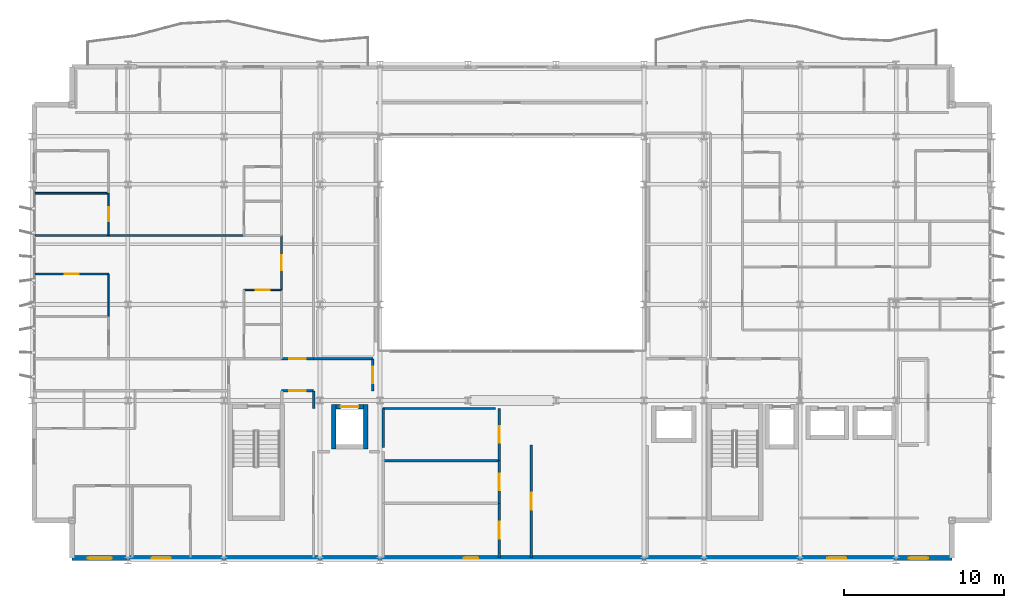
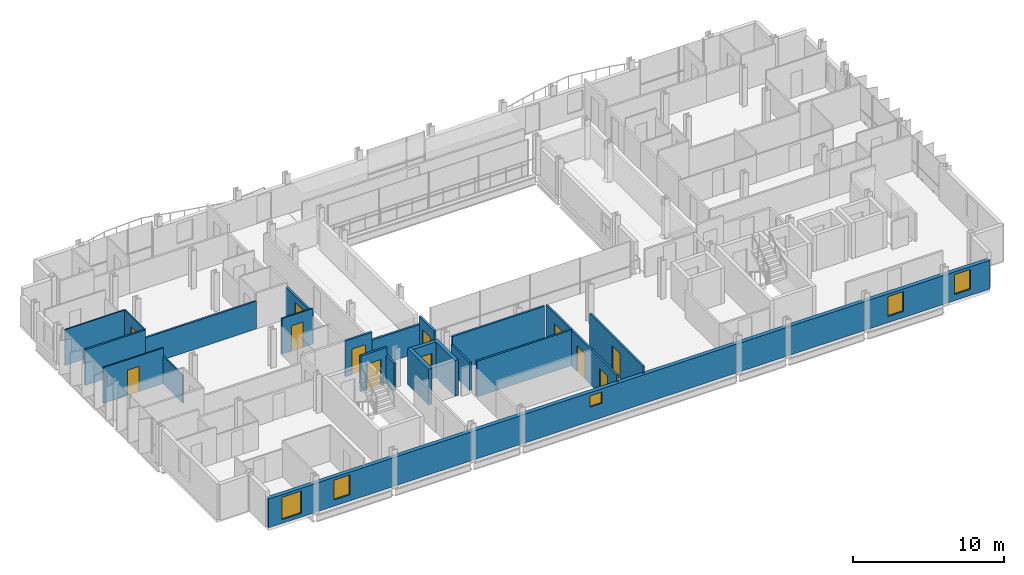
# One storey, part 30 of 38: 24 walls, 12 doors, 5 windows, 17 openings.
"""IFC4 building model written with IfcOpenShell, lengths in metres."""

from ifc_helpers import new_model, si_unit, direction, frame, frame_2d, origin, place, context, subcontext, project, spatial, rectangle, extrude, material, layer, layer_set, type_object, element, fill, save


model = new_model("IFC4")

# Units and contexts
model_context = context("Model", 3, precision=1e-05, world=origin(), true_north=direction((0.0, 1.0)))
body_context = subcontext(model_context, "Body", "Model", "MODEL_VIEW")
ifc_project = project(units=[si_unit("LENGTHUNIT", "METRE"), si_unit("AREAUNIT", "SQUARE_METRE"), si_unit("VOLUMEUNIT", "CUBIC_METRE"), si_unit("PLANEANGLEUNIT", "RADIAN"), si_unit("MASSUNIT", "GRAM", prefix="KILO")], contexts=[model_context])

# Site, building, storey
site_placement = place(None, origin())
site = spatial("IfcSite", under=ifc_project, at=site_placement, CompositionType="ELEMENT")
building_placement = place(site_placement, origin())
building = spatial("IfcBuilding", under=site, at=building_placement, Name="Brevholm Reach", CompositionType="ELEMENT")
storey_placement = place(building_placement, frame((0.0, 0.0, 141.800048828125)))
storey = spatial("IfcBuildingStorey", under=building, at=storey_placement, Name="L42", CompositionType="ELEMENT", Elevation=141.800048828125)

# Walls
ifc_material_1 = material(Name="Concrete C50/60", Category="concrete")
ifc_layer_1 = layer(ifc_material_1, 0.280029296875)
ifc_layer_set_1 = layer_set([ifc_layer_1], Name="Concrete C50/60")
wall_type_1 = type_object("IfcWallType", Name="WAL-COR-280", PredefinedType="SHEAR", material=ifc_layer_set_1)
for number, where, z_axis, x_axis, name in (
    (1, (18.85009765625, 6.9599609375, 0.0), (0.0, 0.0, 1.0), (0.0, 1.0, 0.0), "L42 Lift FFL-1 Shaft Wall W"),
    (2, (20.85009765625, 6.9599609375, 0.0), (0.0, 0.0, 1.0), (0.0, 1.0, 0.0), "L42 Lift FFL-1 Shaft Wall E"),
):
    element("IfcWall", number, at=place(storey_placement, frame(where, z_axis=z_axis, x_axis=x_axis)), inside=storey, type_object=wall_type_1, Name=name, PredefinedType="SHEAR", context=body_context, shape_type="SweptSolid", body=[
        extrude(rectangle(XDim=2.780029296875, YDim=0.280029296875, at=frame_2d((1.39013671875, 0.0))), origin(), (0.0, 0.0, 1.0), 2.8798828125),
    ])

# Wall, opening, door
wall_1_placement = place(storey_placement, frame((18.989990234375, 9.60009765625, 0.0), z_axis=(0.0, 0.0, 1.0), x_axis=(1.0, 0.0, 0.0)))
wall_1 = element("IfcWall", 3, at=wall_1_placement, inside=storey, type_object=wall_type_1, Name="L42 Lift FFL-1 Shaft Wall N", PredefinedType="SHEAR", context=body_context, shape_type="SweptSolid", body=[
    extrude(rectangle(XDim=1.719970703125, YDim=0.280029296875, at=frame_2d((0.85986328125, 0.0))), origin(), (0.0, 0.0, 1.0), 2.8798828125),
])
opening_1_placement = place(wall_1_placement, frame((0.31005859375, 0.0, 0.0)))
opening_1 = element("IfcOpeningElement", 4, at=opening_1_placement, cuts=wall_1, Name="Opening LD-FFL-1", PredefinedType="OPENING", context=body_context, shape_type="SweptSolid", body=[
    extrude(rectangle(XDim=1.10009765625, YDim=2.06005859375, at=frame_2d((0.550048828125, 1.030029296875))), frame((0.0, 0.14990234375, 0.0), z_axis=(0.0, -1.0, 0.0), x_axis=(1.0, 0.0, 0.0)), (0.0, 0.0, 1.0), 0.300048828125),
])
ifc_material_2 = material(Name="Brushed Stainless Steel Fire-Rated Sliding Lift Door", Category="steel")
door_type_1 = type_object("IfcDoorType", Name="DOR-LFT-1100", OperationType="NOTDEFINED", PredefinedType="DOOR", material=ifc_material_2)
door_1_placement = place(opening_1_placement, origin())
door_1 = element("IfcDoor", 5, at=door_1_placement, inside=storey, type_object=door_type_1, Name="L42 Lift FFL-1 Sliding Landing Door", OperationType="SLIDING_TO_RIGHT", OverallHeight=2.06005859375, OverallWidth=1.10009765625, PredefinedType="DOOR", context=body_context, shape_type="SweptSolid", body=[
    extrude(rectangle(XDim=1.10009765625, YDim=2.06005859375, at=frame_2d((0.550048828125, 1.030029296875))), frame((0.0, 0.02490234375, 0.0), z_axis=(0.0, -1.0, 0.0), x_axis=(1.0, 0.0, 0.0)), (0.0, 0.0, 1.0), 0.050048828125),
])
fill(opening_1, door_1)

# Wall, openings, windows
ifc_material_3 = material(Name="Concrete C40/50", Category="concrete")
ifc_layer_2 = layer(ifc_material_3, 0.300048828125)
ifc_layer_set_2 = layer_set([ifc_layer_2], Name="Concrete C40/50")
wall_type_2 = type_object("IfcWallType", Name="WAL-EXT-300", PredefinedType="STANDARD", material=ifc_layer_set_2)
wall_2_placement = place(storey_placement, frame((2.5, 0.14990234375, 0.0), z_axis=(0.0, 0.0, 1.0), x_axis=(1.0, 0.0, 0.0)))
wall_2 = element("IfcWall", 6, at=wall_2_placement, inside=storey, type_object=wall_type_2, Name="L42 Facade Wall WAL-L42-S", PredefinedType="STANDARD", context=body_context, shape_type="SweptSolid", body=[
    extrude(rectangle(XDim=55.0, YDim=0.300048828125, at=frame_2d((27.5, 0.0))), origin(), (0.0, 0.0, 1.0), 2.32177734375),
])
opening_2_placement = place(wall_2_placement, frame((1.0, 0.0, 0.302001953125)))
opening_2 = element("IfcOpeningElement", 7, at=opening_2_placement, cuts=wall_2, Name="Opening WN-05", PredefinedType="OPENING", context=body_context, shape_type="SweptSolid", body=[
    extrude(rectangle(XDim=1.5, YDim=1.800048828125, at=frame_2d((0.75, 0.89990234375))), frame((0.0, 0.159912109375, 0.0), z_axis=(0.0, -1.0, 0.0), x_axis=(1.0, 0.0, 0.0)), (0.0, 0.0, 1.0), 0.320068359375),
])
opening_3_placement = place(wall_2_placement, frame((24.5, 0.0, 1.14990234375)))
opening_3 = element("IfcOpeningElement", 8, at=opening_3_placement, cuts=wall_2, Name="Opening WN-09", PredefinedType="OPENING", context=body_context, shape_type="SweptSolid", body=[
    extrude(rectangle(XDim=0.89990234375, YDim=0.89990234375, at=frame_2d((0.449951171875, 0.449951171875))), frame((0.0, 0.159912109375, 0.0), z_axis=(0.0, -1.0, 0.0), x_axis=(1.0, 0.0, 0.0)), (0.0, 0.0, 1.0), 0.320068359375),
])
opening_4_placement = place(wall_2_placement, frame((47.199951171875, 0.0, 0.501953125)))
opening_4 = element("IfcOpeningElement", 9, at=opening_4_placement, cuts=wall_2, Name="Opening WN-08", PredefinedType="OPENING", context=body_context, shape_type="SweptSolid", body=[
    extrude(rectangle(XDim=1.199951171875, YDim=1.60009765625, at=frame_2d((0.60009765625, 0.800048828125))), frame((0.0, 0.159912109375, 0.0), z_axis=(0.0, -1.0, 0.0), x_axis=(1.0, 0.0, 0.0)), (0.0, 0.0, 1.0), 0.320068359375),
])
opening_5_placement = place(wall_2_placement, frame((52.300048828125, 0.0, 0.501953125)))
opening_5 = element("IfcOpeningElement", 10, at=opening_5_placement, cuts=wall_2, Name="Opening WN-08", PredefinedType="OPENING", context=body_context, shape_type="SweptSolid", body=[
    extrude(rectangle(XDim=1.199951171875, YDim=1.60009765625, at=frame_2d((0.60009765625, 0.800048828125))), frame((0.0, 0.159912109375, 0.0), z_axis=(0.0, -1.0, 0.0), x_axis=(1.0, 0.0, 0.0)), (0.0, 0.0, 1.0), 0.320068359375),
])
opening_6_placement = place(wall_2_placement, frame((4.987548828125, 0.0, 0.501953125)))
opening_6 = element("IfcOpeningElement", 11, at=opening_6_placement, cuts=wall_2, Name="Opening WN-08", PredefinedType="OPENING", context=body_context, shape_type="SweptSolid", body=[
    extrude(rectangle(XDim=1.199951171875, YDim=1.60009765625, at=frame_2d((0.60009765625, 0.800048828125))), frame((0.0, 0.159912109375, 0.0), z_axis=(0.0, -1.0, 0.0), x_axis=(1.0, 0.0, 0.0)), (0.0, 0.0, 1.0), 0.320068359375),
])
ifc_material_4 = material(Name="Dark Anodised Aluminium and Solar-Control IGU Glass", Category="aluminium")
window_type_1 = type_object("IfcWindowType", Name="WIN-POR-0900", PartitioningType="SINGLE_PANEL", PredefinedType="WINDOW", material=ifc_material_4)
window_1_placement = place(opening_3_placement, origin())
window_1 = element("IfcWindow", 12, at=window_1_placement, inside=storey, type_object=window_type_1, Name="L42 Window WIN-L42-S-POR", OverallHeight=0.89990234375, OverallWidth=0.89990234375, PartitioningType="SINGLE_PANEL", PredefinedType="WINDOW", context=body_context, shape_type="SweptSolid", body=[
    extrude(rectangle(XDim=0.89990234375, YDim=0.89990234375, at=frame_2d((0.449951171875, 0.449951171875))), frame((0.0, 0.030029296875, 0.0), z_axis=(0.0, -1.0, 0.0), x_axis=(1.0, 0.0, 0.0)), (0.0, 0.0, 1.0), 0.06005859375),
])
fill(opening_3, window_1)
ifc_material_5 = material(Name="Dark Anodised Aluminium and Solar-Control IGU Glass", Category="aluminium")
window_type_2 = type_object("IfcWindowType", Name="WIN-RES-1200", PartitioningType="SINGLE_PANEL", PredefinedType="WINDOW", material=ifc_material_5)
window_2_placement = place(opening_4_placement, origin())
window_2 = element("IfcWindow", 13, at=window_2_placement, inside=storey, type_object=window_type_2, Name="L42 Window WIN-L42-S-E1", OverallHeight=1.60009765625, OverallWidth=1.199951171875, PartitioningType="SINGLE_PANEL", PredefinedType="WINDOW", context=body_context, shape_type="SweptSolid", body=[
    extrude(rectangle(XDim=1.199951171875, YDim=1.60009765625, at=frame_2d((0.60009765625, 0.800048828125))), frame((0.0, 0.030029296875, 0.0), z_axis=(0.0, -1.0, 0.0), x_axis=(1.0, 0.0, 0.0)), (0.0, 0.0, 1.0), 0.06005859375),
])
fill(opening_4, window_2)
window_3_placement = place(opening_5_placement, origin())
window_3 = element("IfcWindow", 14, at=window_3_placement, inside=storey, type_object=window_type_2, Name="L42 Window WIN-L42-S-E2", OverallHeight=1.60009765625, OverallWidth=1.199951171875, PartitioningType="SINGLE_PANEL", PredefinedType="WINDOW", context=body_context, shape_type="SweptSolid", body=[
    extrude(rectangle(XDim=1.199951171875, YDim=1.60009765625, at=frame_2d((0.60009765625, 0.800048828125))), frame((0.0, 0.030029296875, 0.0), z_axis=(0.0, -1.0, 0.0), x_axis=(1.0, 0.0, 0.0)), (0.0, 0.0, 1.0), 0.06005859375),
])
fill(opening_5, window_3)
window_4_placement = place(opening_6_placement, origin())
window_4 = element("IfcWindow", 15, at=window_4_placement, inside=storey, type_object=window_type_2, Name="L42 Bedroom Window 046", OverallHeight=1.60009765625, OverallWidth=1.199951171875, PartitioningType="SINGLE_PANEL", PredefinedType="WINDOW", context=body_context, shape_type="SweptSolid", body=[
    extrude(rectangle(XDim=1.199951171875, YDim=1.60009765625, at=frame_2d((0.60009765625, 0.800048828125))), frame((0.0, 0.030029296875, 0.0), z_axis=(0.0, -1.0, 0.0), x_axis=(1.0, 0.0, 0.0)), (0.0, 0.0, 1.0), 0.06005859375),
])
fill(opening_6, window_4)
ifc_material_6 = material(Name="Dark Anodised Aluminium and Solar-Control IGU Glass", Category="aluminium")
window_type_3 = type_object("IfcWindowType", Name="WIN-RES-1500", PartitioningType="SINGLE_PANEL", PredefinedType="WINDOW", material=ifc_material_6)
window_5_placement = place(opening_2_placement, origin())
window_5 = element("IfcWindow", 16, at=window_5_placement, inside=storey, type_object=window_type_3, Name="L42 Window WIN-L42-S-W1", OverallHeight=1.800048828125, OverallWidth=1.5, PartitioningType="SINGLE_PANEL", PredefinedType="WINDOW", context=body_context, shape_type="SweptSolid", body=[
    extrude(rectangle(XDim=1.5, YDim=1.800048828125, at=frame_2d((0.75, 0.89990234375))), frame((0.0, 0.030029296875, 0.0), z_axis=(0.0, -1.0, 0.0), x_axis=(1.0, 0.0, 0.0)), (0.0, 0.0, 1.0), 0.06005859375),
])
fill(opening_2, window_5)

# Wall, opening, door
ifc_material_7 = material(Name="Moisture-Resistant Acoustic Gypsum Stud Partition 100 mm", Category="gypsum")
ifc_layer_3 = layer(ifc_material_7, 0.10009765625)
ifc_layer_set_3 = layer_set([ifc_layer_3], Name="Moisture-Resistant Acoustic Gypsum Stud Partition 100 mm")
wall_type_3 = type_object("IfcWallType", Name="WAL-PRT-100", PredefinedType="PARTITIONING", material=ifc_layer_set_3)
wall_3_placement = place(storey_placement, frame((13.25, 16.906005859375, 0.0), z_axis=(0.0, 0.0, 1.0), x_axis=(1.0, 0.0, 0.0)))
wall_3 = element("IfcWall", 17, at=wall_3_placement, inside=storey, type_object=wall_type_3, Name="L42 Internal Partition 071", PredefinedType="PARTITIONING", context=body_context, shape_type="SweptSolid", body=[
    extrude(rectangle(XDim=2.345947265625, YDim=0.10009765625, at=frame_2d((1.1728515625, 0.0))), origin(), (0.0, 0.0, 1.0), 2.8798828125),
])
opening_7_placement = place(wall_3_placement, frame((0.73291015625, 0.0, 0.0)))
opening_7 = element("IfcOpeningElement", 18, at=opening_7_placement, cuts=wall_3, Name="Opening ID-01", PredefinedType="OPENING", context=body_context, shape_type="SweptSolid", body=[
    extrude(rectangle(XDim=0.8798828125, YDim=2.0400390625, at=frame_2d((0.43994140625, 1.02001953125))), frame((0.0, 0.06005859375, 0.0), z_axis=(0.0, -1.0, 0.0), x_axis=(1.0, 0.0, 0.0)), (0.0, 0.0, 1.0), 0.1201171875),
])
ifc_material_8 = material(Name="Lacquered Ash Solid-Core Acoustic Internal Door", Category="timber")
door_type_2 = type_object("IfcDoorType", Name="DOR-INT-880", OperationType="NOTDEFINED", PredefinedType="DOOR", material=ifc_material_8)
door_2_placement = place(opening_7_placement, origin())
door_2 = element("IfcDoor", 19, at=door_2_placement, inside=storey, type_object=door_type_2, Name="L42 Internal Door 032", OperationType="SINGLE_SWING_RIGHT", OverallHeight=2.0400390625, OverallWidth=0.8798828125, PredefinedType="DOOR", context=body_context, shape_type="SweptSolid", body=[
    extrude(rectangle(XDim=0.8798828125, YDim=2.0400390625, at=frame_2d((0.43994140625, 1.02001953125))), frame((0.0, 0.02490234375, 0.0), z_axis=(0.0, -1.0, 0.0), x_axis=(1.0, 0.0, 0.0)), (0.0, 0.0, 1.0), 0.050048828125),
])
fill(opening_7, door_2)

# Wall
wall_4_placement = place(storey_placement, frame((4.800048828125, 15.25390625, 0.0), z_axis=(0.0, 0.0, 1.0), x_axis=(0.0, 1.0, 0.0)))
element("IfcWall", 20, at=wall_4_placement, inside=storey, type_object=wall_type_3, Name="L42 Internal Partition 075", PredefinedType="PARTITIONING", context=body_context, shape_type="SweptSolid", body=[
    extrude(rectangle(XDim=2.64599609375, YDim=0.10009765625, at=frame_2d((1.322998046875, 0.0))), origin(), (0.0, 0.0, 1.0), 2.24267578125),
])

# Wall, opening, door
wall_5_placement = place(storey_placement, frame((0.199951171875, 17.89990234375, 0.0), z_axis=(0.0, 0.0, 1.0), x_axis=(1.0, 0.0, 0.0)))
wall_5 = element("IfcWall", 21, at=wall_5_placement, inside=storey, type_object=wall_type_3, Name="L42 Internal Partition 076", PredefinedType="PARTITIONING", context=body_context, shape_type="SweptSolid", body=[
    extrude(rectangle(XDim=4.60009765625, YDim=0.10009765625, at=frame_2d((2.300048828125, 0.0))), origin(), (0.0, 0.0, 1.0), 2.8798828125),
])
opening_8_placement = place(wall_5_placement, frame((1.860107421875, 0.0, 0.0)))
opening_8 = element("IfcOpeningElement", 22, at=opening_8_placement, cuts=wall_5, Name="Opening ID-01", PredefinedType="OPENING", context=body_context, shape_type="SweptSolid", body=[
    extrude(rectangle(XDim=0.8798828125, YDim=2.0400390625, at=frame_2d((0.43994140625, 1.02001953125))), frame((0.0, 0.06005859375, 0.0), z_axis=(0.0, -1.0, 0.0), x_axis=(1.0, 0.0, 0.0)), (0.0, 0.0, 1.0), 0.1201171875),
])
door_3_placement = place(opening_8_placement, origin())
door_3 = element("IfcDoor", 23, at=door_3_placement, inside=storey, type_object=door_type_2, Name="L42 Internal Door 034", OperationType="SINGLE_SWING_RIGHT", OverallHeight=2.0400390625, OverallWidth=0.8798828125, PredefinedType="DOOR", context=body_context, shape_type="SweptSolid", body=[
    extrude(rectangle(XDim=0.8798828125, YDim=2.0400390625, at=frame_2d((0.43994140625, 1.02001953125))), frame((0.0, 0.02490234375, 0.0), z_axis=(0.0, -1.0, 0.0), x_axis=(1.0, 0.0, 0.0)), (0.0, 0.0, 1.0), 0.050048828125),
])
fill(opening_8, door_3)

# Wall
wall_6_placement = place(storey_placement, frame((0.199951171875, 22.949951171875, 0.0), z_axis=(0.0, 0.0, 1.0), x_axis=(1.0, 0.0, 0.0)))
element("IfcWall", 24, at=wall_6_placement, inside=storey, type_object=wall_type_3, Name="L42 Internal Partition 084", PredefinedType="PARTITIONING", context=body_context, shape_type="SweptSolid", body=[
    extrude(rectangle(XDim=4.60009765625, YDim=0.10009765625, at=frame_2d((2.300048828125, 0.0))), origin(), (0.0, 0.0, 1.0), 2.8798828125),
])

# Wall, opening, door
wall_7_placement = place(storey_placement, frame((4.800048828125, 20.303955078125, 0.0), z_axis=(0.0, 0.0, 1.0), x_axis=(0.0, 1.0, 0.0)))
wall_7 = element("IfcWall", 25, at=wall_7_placement, inside=storey, type_object=wall_type_3, Name="L42 Internal Partition 085", PredefinedType="PARTITIONING", context=body_context, shape_type="SweptSolid", body=[
    extrude(rectangle(XDim=2.64599609375, YDim=0.10009765625, at=frame_2d((1.322998046875, 0.0))), origin(), (0.0, 0.0, 1.0), 2.8798828125),
])
opening_9_placement = place(wall_7_placement, frame((0.883056640625, 0.0, 0.0)))
opening_9 = element("IfcOpeningElement", 26, at=opening_9_placement, cuts=wall_7, Name="Opening ID-01", PredefinedType="OPENING", context=body_context, shape_type="SweptSolid", body=[
    extrude(rectangle(XDim=0.8798828125, YDim=2.0400390625, at=frame_2d((0.43994140625, 1.02001953125))), frame((0.0, 0.06005859375, 0.0), z_axis=(0.0, -1.0, 0.0), x_axis=(1.0, 0.0, 0.0)), (0.0, 0.0, 1.0), 0.1201171875),
])
door_4_placement = place(opening_9_placement, origin())
door_4 = element("IfcDoor", 27, at=door_4_placement, inside=storey, type_object=door_type_2, Name="L42 Internal Door 037", OperationType="SINGLE_SWING_LEFT", OverallHeight=2.0400390625, OverallWidth=0.8798828125, PredefinedType="DOOR", context=body_context, shape_type="SweptSolid", body=[
    extrude(rectangle(XDim=0.8798828125, YDim=2.0400390625, at=frame_2d((0.43994140625, 1.02001953125))), frame((0.0, 0.02490234375, 0.0), z_axis=(0.0, -1.0, 0.0), x_axis=(1.0, 0.0, 0.0)), (0.0, 0.0, 1.0), 0.050048828125),
])
fill(opening_9, door_4)

ifc_material_9 = material(Name="Twin-Stud Acoustic Fire-Rated Gypsum Partition 140 mm", Category="gypsum")
ifc_layer_4 = layer(ifc_material_9, 0.139892578125)
ifc_layer_set_4 = layer_set([ifc_layer_4], Name="Twin-Stud Acoustic Fire-Rated Gypsum Partition 140 mm")
wall_type_4 = type_object("IfcWallType", Name="WAL-PRT-140", PredefinedType="PARTITIONING", material=ifc_layer_set_4)
wall_8_placement = place(storey_placement, frame((29.199951171875, 0.179931640625, 0.0), z_axis=(0.0, 0.0, 1.0), x_axis=(0.0, 1.0, 0.0)))
wall_8 = element("IfcWall", 28, at=wall_8_placement, inside=storey, type_object=wall_type_4, Name="L42 Internal Partition 001", PredefinedType="PARTITIONING", context=body_context, shape_type="SweptSolid", body=[
    extrude(rectangle(XDim=3.407470703125, YDim=0.139892578125, at=frame_2d((1.70361328125, 0.0))), origin(), (0.0, 0.0, 1.0), 2.8798828125),
])
opening_10_placement = place(wall_8_placement, frame((1.1787109375, 0.0, 0.0)))
opening_10 = element("IfcOpeningElement", 29, at=opening_10_placement, cuts=wall_8, Name="Opening FD-01", PredefinedType="OPENING", context=body_context, shape_type="SweptSolid", body=[
    extrude(rectangle(XDim=1.050048828125, YDim=2.06005859375, at=frame_2d((0.52490234375, 1.030029296875))), frame((0.0, 0.079833984375, 0.0), z_axis=(0.0, -1.0, 0.0), x_axis=(1.0, 0.0, 0.0)), (0.0, 0.0, 1.0), 0.159912109375),
])
ifc_material_10 = material(Name="Hardwood-Lipped Steel-Core Fire and Smoke Door", Category="steel")
door_type_3 = type_object("IfcDoorType", Name="DOR-INT-FD60S", OperationType="NOTDEFINED", PredefinedType="DOOR", material=ifc_material_10)
door_5_placement = place(opening_10_placement, origin())
door_5 = element("IfcDoor", 30, at=door_5_placement, inside=storey, type_object=door_type_3, Name="L42 Internal Door 001", OperationType="SINGLE_SWING_LEFT", OverallHeight=2.06005859375, OverallWidth=1.050048828125, PredefinedType="DOOR", context=body_context, shape_type="SweptSolid", body=[
    extrude(rectangle(XDim=1.050048828125, YDim=2.06005859375, at=frame_2d((0.52490234375, 1.030029296875))), frame((0.0, 0.02490234375, 0.0), z_axis=(0.0, -1.0, 0.0), x_axis=(1.0, 0.0, 0.0)), (0.0, 0.0, 1.0), 0.050048828125),
])
fill(opening_10, door_5)

wall_9_placement = place(storey_placement, frame((29.199951171875, 3.568603515625, 0.0), z_axis=(0.0, 0.0, 1.0), x_axis=(0.0, 1.0, 0.0)))
wall_9 = element("IfcWall", 31, at=wall_9_placement, inside=storey, type_object=wall_type_4, Name="L42 Internal Partition 002", PredefinedType="PARTITIONING", context=body_context, shape_type="SweptSolid", body=[
    extrude(rectangle(XDim=2.677734375, YDim=0.139892578125, at=frame_2d((1.3388671875, 0.0))), origin(), (0.0, 0.0, 1.0), 2.8798828125),
])
opening_11_placement = place(wall_9_placement, frame((0.813720703125, 0.0, 0.0)))
opening_11 = element("IfcOpeningElement", 32, at=opening_11_placement, cuts=wall_9, Name="Opening FD-01", PredefinedType="OPENING", context=body_context, shape_type="SweptSolid", body=[
    extrude(rectangle(XDim=1.050048828125, YDim=2.06005859375, at=frame_2d((0.52490234375, 1.030029296875))), frame((0.0, 0.079833984375, 0.0), z_axis=(0.0, -1.0, 0.0), x_axis=(1.0, 0.0, 0.0)), (0.0, 0.0, 1.0), 0.159912109375),
])
door_6_placement = place(opening_11_placement, origin())
door_6 = element("IfcDoor", 33, at=door_6_placement, inside=storey, type_object=door_type_3, Name="L42 Internal Door 002", OperationType="SINGLE_SWING_RIGHT", OverallHeight=2.06005859375, OverallWidth=1.050048828125, PredefinedType="DOOR", context=body_context, shape_type="SweptSolid", body=[
    extrude(rectangle(XDim=1.050048828125, YDim=2.06005859375, at=frame_2d((0.52490234375, 1.030029296875))), frame((0.0, 0.02490234375, 0.0), z_axis=(0.0, -1.0, 0.0), x_axis=(1.0, 0.0, 0.0)), (0.0, 0.0, 1.0), 0.050048828125),
])
fill(opening_11, door_6)

wall_10_placement = place(storey_placement, frame((29.199951171875, 6.227783203125, 0.0), z_axis=(0.0, 0.0, 1.0), x_axis=(0.0, 1.0, 0.0)))
wall_10 = element("IfcWall", 34, at=wall_10_placement, inside=storey, type_object=wall_type_4, Name="L42 Internal Partition 003", PredefinedType="PARTITIONING", context=body_context, shape_type="SweptSolid", body=[
    extrude(rectangle(XDim=3.283447265625, YDim=0.139892578125, at=frame_2d((1.6416015625, 0.0))), origin(), (0.0, 0.0, 1.0), 2.8798828125),
])
opening_12_placement = place(wall_10_placement, frame((1.11669921875, 0.0, 0.0)))
opening_12 = element("IfcOpeningElement", 35, at=opening_12_placement, cuts=wall_10, Name="Opening FD-01", PredefinedType="OPENING", context=body_context, shape_type="SweptSolid", body=[
    extrude(rectangle(XDim=1.050048828125, YDim=2.06005859375, at=frame_2d((0.52490234375, 1.030029296875))), frame((0.0, 0.079833984375, 0.0), z_axis=(0.0, -1.0, 0.0), x_axis=(1.0, 0.0, 0.0)), (0.0, 0.0, 1.0), 0.159912109375),
])
door_7_placement = place(opening_12_placement, origin())
door_7 = element("IfcDoor", 36, at=door_7_placement, inside=storey, type_object=door_type_3, Name="L42 Internal Door 003", OperationType="SINGLE_SWING_LEFT", OverallHeight=2.06005859375, OverallWidth=1.050048828125, PredefinedType="DOOR", context=body_context, shape_type="SweptSolid", body=[
    extrude(rectangle(XDim=1.050048828125, YDim=2.06005859375, at=frame_2d((0.52490234375, 1.030029296875))), frame((0.0, 0.02490234375, 0.0), z_axis=(0.0, -1.0, 0.0), x_axis=(1.0, 0.0, 0.0)), (0.0, 0.0, 1.0), 0.050048828125),
])
fill(opening_12, door_7)

wall_11_placement = place(storey_placement, frame((31.199951171875, 0.179931640625, 0.0), z_axis=(0.0, 0.0, 1.0), x_axis=(0.0, 1.0, 0.0)))
wall_11 = element("IfcWall", 37, at=wall_11_placement, inside=storey, type_object=wall_type_4, Name="L42 Internal Partition 004", PredefinedType="PARTITIONING", context=body_context, shape_type="SweptSolid", body=[
    extrude(rectangle(XDim=7.03125, YDim=0.139892578125, at=frame_2d((3.515625, 0.0))), origin(), (0.0, 0.0, 1.0), 2.8798828125),
])
opening_13_placement = place(wall_11_placement, frame((2.99072265625, 0.0, 0.0)))
opening_13 = element("IfcOpeningElement", 38, at=opening_13_placement, cuts=wall_11, Name="Opening FD-01", PredefinedType="OPENING", context=body_context, shape_type="SweptSolid", body=[
    extrude(rectangle(XDim=1.050048828125, YDim=2.06005859375, at=frame_2d((0.52490234375, 1.030029296875))), frame((0.0, 0.079833984375, 0.0), z_axis=(0.0, -1.0, 0.0), x_axis=(1.0, 0.0, 0.0)), (0.0, 0.0, 1.0), 0.159912109375),
])
door_8_placement = place(opening_13_placement, origin())
door_8 = element("IfcDoor", 39, at=door_8_placement, inside=storey, type_object=door_type_3, Name="L42 Internal Door 004", OperationType="SINGLE_SWING_RIGHT", OverallHeight=2.06005859375, OverallWidth=1.050048828125, PredefinedType="DOOR", context=body_context, shape_type="SweptSolid", body=[
    extrude(rectangle(XDim=1.050048828125, YDim=2.06005859375, at=frame_2d((0.52490234375, 1.030029296875))), frame((0.0, 0.02490234375, 0.0), z_axis=(0.0, -1.0, 0.0), x_axis=(1.0, 0.0, 0.0)), (0.0, 0.0, 1.0), 0.050048828125),
])
fill(opening_13, door_8)

# Wall
wall_12_placement = place(storey_placement, frame((21.949951171875, 6.235107421875, 0.0), z_axis=(0.0, 0.0, 1.0), x_axis=(1.0, 0.0, 0.0)))
element("IfcWall", 40, at=wall_12_placement, inside=storey, type_object=wall_type_4, Name="L42 Internal Partition 007", PredefinedType="PARTITIONING", context=body_context, shape_type="SweptSolid", body=[
    extrude(rectangle(XDim=7.24609375, YDim=0.139892578125, at=frame_2d((3.623046875, 0.0))), origin(), (0.0, 0.0, 1.0), 2.8798828125),
])

# Wall, opening, door
wall_13_placement = place(storey_placement, frame((15.60009765625, 16.898681640625, 0.0), z_axis=(0.0, 0.0, 1.0), x_axis=(0.0, 1.0, 0.0)))
wall_13 = element("IfcWall", 41, at=wall_13_placement, inside=storey, type_object=wall_type_4, Name="L42 Internal Partition 036", PredefinedType="PARTITIONING", context=body_context, shape_type="SweptSolid", body=[
    extrude(rectangle(XDim=3.41259765625, YDim=0.139892578125, at=frame_2d((1.706298828125, 0.0))), origin(), (0.0, 0.0, 1.0), 2.551513671875),
])
opening_14_placement = place(wall_13_placement, frame((1.231201171875, 0.0, 0.0)))
opening_14 = element("IfcOpeningElement", 42, at=opening_14_placement, cuts=wall_13, Name="Opening ID-30", PredefinedType="OPENING", context=body_context, shape_type="SweptSolid", body=[
    extrude(rectangle(XDim=0.949951171875, YDim=2.050048828125, at=frame_2d((0.47509765625, 1.02490234375))), frame((0.0, 0.079833984375, 0.0), z_axis=(0.0, -1.0, 0.0), x_axis=(1.0, 0.0, 0.0)), (0.0, 0.0, 1.0), 0.159912109375),
])
ifc_material_11 = material(Name="European Oak Veneered Solid-Core Fire Entrance Door", Category="timber")
door_type_4 = type_object("IfcDoorType", Name="DOR-FLT-FD30S", OperationType="NOTDEFINED", PredefinedType="DOOR", material=ifc_material_11)
door_9_placement = place(opening_14_placement, origin())
door_9 = element("IfcDoor", 43, at=door_9_placement, inside=storey, type_object=door_type_4, Name="L42 Internal Door 018", OperationType="SINGLE_SWING_RIGHT", OverallHeight=2.050048828125, OverallWidth=0.949951171875, PredefinedType="DOOR", context=body_context, shape_type="SweptSolid", body=[
    extrude(rectangle(XDim=0.949951171875, YDim=2.050048828125, at=frame_2d((0.47509765625, 1.02490234375))), frame((0.0, 0.02490234375, 0.0), z_axis=(0.0, -1.0, 0.0), x_axis=(1.0, 0.0, 0.0)), (0.0, 0.0, 1.0), 0.050048828125),
])
fill(opening_14, door_9)

# Walls
wall_14_placement = place(storey_placement, frame((0.199951171875, 20.300048828125, 0.0), z_axis=(0.0, 0.0, 1.0), x_axis=(1.0, 0.0, 0.0)))
element("IfcWall", 44, at=wall_14_placement, inside=storey, type_object=wall_type_4, Name="L42 Internal Partition 078", PredefinedType="PARTITIONING", context=body_context, shape_type="SweptSolid", body=[
    extrude(rectangle(XDim=4.611328125, YDim=0.139892578125, at=frame_2d((2.3056640625, 0.0))), origin(), (0.0, 0.0, 1.0), 2.8798828125),
])
wall_15_placement = place(storey_placement, frame((4.792724609375, 20.300048828125, 0.0), z_axis=(0.0, 0.0, 1.0), x_axis=(1.0, 0.0, 0.0)))
element("IfcWall", 45, at=wall_15_placement, inside=storey, type_object=wall_type_4, Name="L42 Internal Partition 079", PredefinedType="PARTITIONING", context=body_context, shape_type="SweptSolid", body=[
    extrude(rectangle(XDim=8.464599609375, YDim=0.139892578125, at=frame_2d((4.232421875, 0.0))), origin(), (0.0, 0.0, 1.0), 2.24267578125),
])
wall_16_placement = place(storey_placement, frame((21.949951171875, 9.5, 0.0), z_axis=(0.0, 0.0, 1.0), x_axis=(1.0, 0.0, 0.0)))
element("IfcWall", 46, at=wall_16_placement, inside=storey, type_object=wall_type_4, Name="L42 Internal Partition 117", PredefinedType="PARTITIONING", context=body_context, shape_type="SweptSolid", body=[
    extrude(rectangle(XDim=7.010009765625, YDim=0.139892578125, at=frame_2d((3.5048828125, 0.0))), origin(), (0.0, 0.0, 1.0), 2.8798828125),
])
wall_17_placement = place(storey_placement, frame((21.949951171875, 7.05126953125, 0.0), z_axis=(0.0, 0.0, 1.0), x_axis=(0.0, 1.0, 0.0)))
element("IfcWall", 47, at=wall_17_placement, inside=storey, type_object=wall_type_4, Name="L42 Internal Partition 118", PredefinedType="PARTITIONING", context=body_context, shape_type="SweptSolid", body=[
    extrude(rectangle(XDim=2.44873046875, YDim=0.139892578125, at=frame_2d((1.224365234375, 0.0))), origin(), (0.0, 0.0, 1.0), 2.24267578125),
])
ifc_material_12 = material(Name="Twin-Frame Fire-Rated Gypsum Board and Mineral Wool 160 mm", Category="gypsum")
ifc_layer_5 = layer(ifc_material_12, 0.159912109375)
ifc_layer_set_5 = layer_set([ifc_layer_5], Name="Twin-Frame Fire-Rated Gypsum Board and Mineral Wool 160 mm")
wall_type_5 = type_object("IfcWallType", Name="WAL-PRT-160", PredefinedType="PARTITIONING", material=ifc_layer_set_5)
wall_18_placement = place(storey_placement, frame((17.60009765625, 9.48876953125, 0.0), z_axis=(0.0, 0.0, 1.0), x_axis=(0.0, 1.0, 0.0)))
element("IfcWall", 48, at=wall_18_placement, inside=storey, type_object=wall_type_5, Name="L42 Internal Partition 017", PredefinedType="PARTITIONING", context=body_context, shape_type="SweptSolid", body=[
    extrude(rectangle(XDim=1.111328125, YDim=0.159912109375, at=frame_2d((0.5556640625, 0.0))), origin(), (0.0, 0.0, 1.0), 2.24267578125),
])

# Wall, opening, door
wall_19_placement = place(storey_placement, frame((15.60009765625, 10.60009765625, 0.0), z_axis=(0.0, 0.0, 1.0), x_axis=(1.0, 0.0, 0.0)))
wall_19 = element("IfcWall", 49, at=wall_19_placement, inside=storey, type_object=wall_type_5, Name="L42 Internal Partition 018", PredefinedType="PARTITIONING", context=body_context, shape_type="SweptSolid", body=[
    extrude(rectangle(XDim=2.0, YDim=0.159912109375, at=frame_2d((1.0, 0.0))), origin(), (0.0, 0.0, 1.0), 2.8798828125),
])
opening_15_placement = place(wall_19_placement, frame((0.47509765625, 0.0, 0.0)))
opening_15 = element("IfcOpeningElement", 50, at=opening_15_placement, cuts=wall_19, Name="Opening FD-01", PredefinedType="OPENING", context=body_context, shape_type="SweptSolid", body=[
    extrude(rectangle(XDim=1.050048828125, YDim=2.06005859375, at=frame_2d((0.52490234375, 1.030029296875))), frame((0.0, 0.08984375, 0.0), z_axis=(0.0, -1.0, 0.0), x_axis=(1.0, 0.0, 0.0)), (0.0, 0.0, 1.0), 0.179931640625),
])
door_10_placement = place(opening_15_placement, origin())
door_10 = element("IfcDoor", 51, at=door_10_placement, inside=storey, type_object=door_type_3, Name="L42 Internal Door 009", OperationType="SINGLE_SWING_LEFT", OverallHeight=2.06005859375, OverallWidth=1.050048828125, PredefinedType="DOOR", context=body_context, shape_type="SweptSolid", body=[
    extrude(rectangle(XDim=1.050048828125, YDim=2.06005859375, at=frame_2d((0.52490234375, 1.030029296875))), frame((0.0, 0.02490234375, 0.0), z_axis=(0.0, -1.0, 0.0), x_axis=(1.0, 0.0, 0.0)), (0.0, 0.0, 1.0), 0.050048828125),
])
fill(opening_15, door_10)

wall_20_placement = place(storey_placement, frame((21.300048828125, 10.588623046875, 0.0), z_axis=(0.0, 0.0, 1.0), x_axis=(0.0, 1.0, 0.0)))
wall_20 = element("IfcWall", 52, at=wall_20_placement, inside=storey, type_object=wall_type_5, Name="L42 Internal Partition 020", PredefinedType="PARTITIONING", context=body_context, shape_type="SweptSolid", body=[
    extrude(rectangle(XDim=2.011474609375, YDim=0.159912109375, at=frame_2d((1.005859375, 0.0))), origin(), (0.0, 0.0, 1.0), 2.8798828125),
])
opening_16_placement = place(wall_20_placement, frame((0.480712890625, 0.0, 0.0)))
opening_16 = element("IfcOpeningElement", 53, at=opening_16_placement, cuts=wall_20, Name="Opening FD-01", PredefinedType="OPENING", context=body_context, shape_type="SweptSolid", body=[
    extrude(rectangle(XDim=1.050048828125, YDim=2.06005859375, at=frame_2d((0.52490234375, 1.030029296875))), frame((0.0, 0.08984375, 0.0), z_axis=(0.0, -1.0, 0.0), x_axis=(1.0, 0.0, 0.0)), (0.0, 0.0, 1.0), 0.179931640625),
])
door_11_placement = place(opening_16_placement, origin())
door_11 = element("IfcDoor", 54, at=door_11_placement, inside=storey, type_object=door_type_3, Name="L42 Internal Door 010", OperationType="SINGLE_SWING_RIGHT", OverallHeight=2.06005859375, OverallWidth=1.050048828125, PredefinedType="DOOR", context=body_context, shape_type="SweptSolid", body=[
    extrude(rectangle(XDim=1.050048828125, YDim=2.06005859375, at=frame_2d((0.52490234375, 1.030029296875))), frame((0.0, 0.02490234375, 0.0), z_axis=(0.0, -1.0, 0.0), x_axis=(1.0, 0.0, 0.0)), (0.0, 0.0, 1.0), 0.050048828125),
])
fill(opening_16, door_11)

wall_21_placement = place(storey_placement, frame((15.588623046875, 12.60009765625, 0.0), z_axis=(0.0, 0.0, 1.0), x_axis=(1.0, 0.0, 0.0)))
wall_21 = element("IfcWall", 55, at=wall_21_placement, inside=storey, type_object=wall_type_5, Name="L42 Internal Partition 021", PredefinedType="PARTITIONING", context=body_context, shape_type="SweptSolid", body=[
    extrude(rectangle(XDim=2.022705078125, YDim=0.159912109375, at=frame_2d((1.01123046875, 0.0))), origin(), (0.0, 0.0, 1.0), 2.8798828125),
])
opening_17_placement = place(wall_21_placement, frame((0.486328125, 0.0, 0.0)))
opening_17 = element("IfcOpeningElement", 56, at=opening_17_placement, cuts=wall_21, Name="Opening FD-01", PredefinedType="OPENING", context=body_context, shape_type="SweptSolid", body=[
    extrude(rectangle(XDim=1.050048828125, YDim=2.06005859375, at=frame_2d((0.52490234375, 1.030029296875))), frame((0.0, 0.08984375, 0.0), z_axis=(0.0, -1.0, 0.0), x_axis=(1.0, 0.0, 0.0)), (0.0, 0.0, 1.0), 0.179931640625),
])
door_12_placement = place(opening_17_placement, origin())
door_12 = element("IfcDoor", 57, at=door_12_placement, inside=storey, type_object=door_type_3, Name="L42 Internal Door 011", OperationType="SINGLE_SWING_LEFT", OverallHeight=2.06005859375, OverallWidth=1.050048828125, PredefinedType="DOOR", context=body_context, shape_type="SweptSolid", body=[
    extrude(rectangle(XDim=1.050048828125, YDim=2.06005859375, at=frame_2d((0.52490234375, 1.030029296875))), frame((0.0, 0.02490234375, 0.0), z_axis=(0.0, -1.0, 0.0), x_axis=(1.0, 0.0, 0.0)), (0.0, 0.0, 1.0), 0.050048828125),
])
fill(opening_17, door_12)

# Wall
wall_22_placement = place(storey_placement, frame((17.5927734375, 12.60009765625, 0.0), z_axis=(0.0, 0.0, 1.0), x_axis=(1.0, 0.0, 0.0)))
element("IfcWall", 58, at=wall_22_placement, inside=storey, type_object=wall_type_5, Name="L42 Internal Partition 026", PredefinedType="PARTITIONING", context=body_context, shape_type="SweptSolid", body=[
    extrude(rectangle(XDim=3.707275390625, YDim=0.159912109375, at=frame_2d((1.853515625, 0.0))), origin(), (0.0, 0.0, 1.0), 2.24267578125),
])

save(model, "model.ifc")
